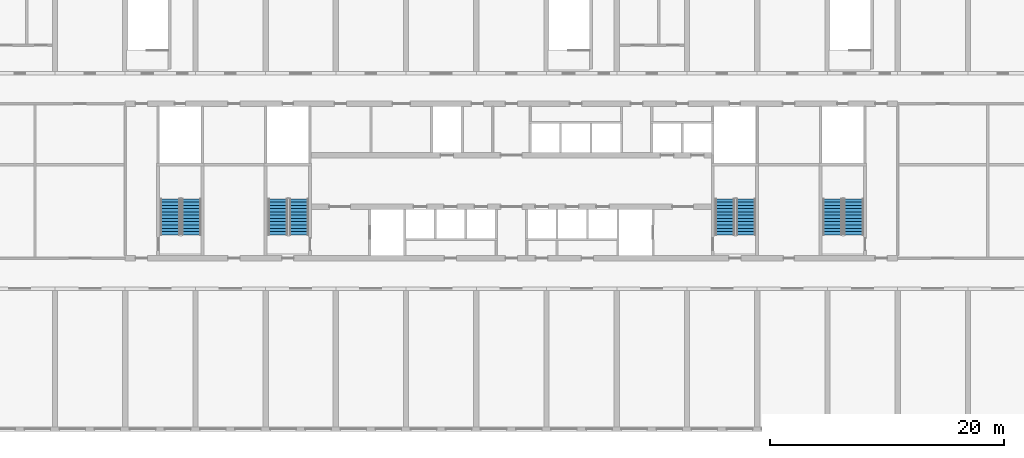
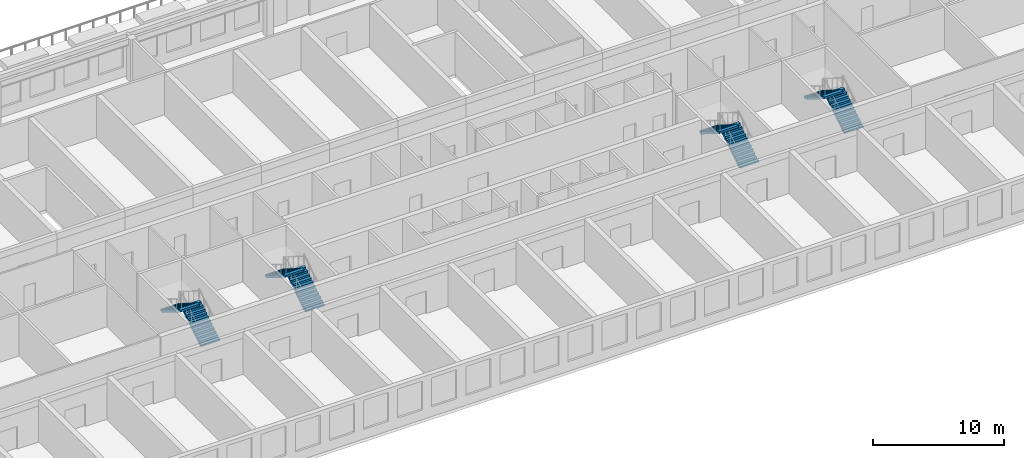
# One storey, part 12 of 15: 8 stair flights, 4 elements without a shape of their own.
"""IFC4 building model written with IfcOpenShell, lengths in metres."""

from ifc_helpers import new_model, si_unit, direction, frame, origin, place, context, subcontext, project, spatial, polyline, outline, extrude, material, layer, layer_set, type_object, element, aggregate, save


model = new_model("IFC4")

# Units and contexts
model_context = context("Model", 3, precision=1e-05, world=origin(), true_north=direction((0.0, 1.0)))
body_context = subcontext(model_context, "Body", "Model", "MODEL_VIEW")
ifc_project = project(units=[si_unit("LENGTHUNIT", "METRE"), si_unit("AREAUNIT", "SQUARE_METRE"), si_unit("VOLUMEUNIT", "CUBIC_METRE"), si_unit("PLANEANGLEUNIT", "RADIAN"), si_unit("MASSUNIT", "GRAM", prefix="KILO")], contexts=[model_context])

# Site, building, storey
site_placement = place(None, origin())
site = spatial("IfcSite", under=ifc_project, at=site_placement, CompositionType="ELEMENT")
building_placement = place(site_placement, origin())
building = spatial("IfcBuilding", under=site, at=building_placement, Name="Poui Terraces", CompositionType="ELEMENT")
storey_placement = place(building_placement, frame((0.0, 0.0, 19.199951171875)))
storey = spatial("IfcBuildingStorey", under=building, at=storey_placement, Name="L04", CompositionType="ELEMENT", Elevation=19.199951171875)

# Stair, stair flights
ifc_material = material(Name="Concrete 80 MPa", Category="concrete")
stair_type = type_object("IfcStairType", Name="EXIT STAIR 1650 80 MPA", PredefinedType="HALF_TURN_STAIR", material=ifc_material)
stair_1_placement = place(storey_placement, origin())
stair_1 = element("IfcStair", 1, at=stair_1_placement, inside=storey, type_object=stair_type, Name="L04 CORE STAIR EAST", PredefinedType="HALF_TURN_STAIR")
ifc_layer = layer(ifc_material, 0.14990234375)
ifc_layer_set = layer_set([ifc_layer], Name="Concrete 80 MPa")
stair_flight_type = type_object("IfcStairFlightType", Name="STAIR FLIGHT 12 RISERS 175 RISE 80 MPA", PredefinedType="STRAIGHT", material=ifc_layer_set)
stair_flight_1_placement = place(storey_placement, frame((71.050048828125, 16.60009765625, 0.0), z_axis=(0.0, 0.0, 1.0), x_axis=(0.0, 1.0, 0.0)))
stair_flight_1 = element("IfcStairFlight", 2, at=stair_flight_1_placement, type_object=stair_flight_type, Name="ST-CE flight 1", NumberOfRisers=12, NumberOfTreads=11, PredefinedType="STRAIGHT", RiserHeight=0.175, TreadLength=0.28, context=body_context, shape_type="SweptSolid", body=[
    extrude(outline(polyline([(0.0, 0.0), (0.0, 0.175048828125), (0.280029296875, 0.175048828125), (0.280029296875, 0.35009765625), (0.56005859375, 0.35009765625), (0.56005859375, 0.52490234375), (0.840087890625, 0.52490234375), (0.840087890625, 0.699951171875), (1.1201171875, 0.699951171875), (1.1201171875, 0.875), (1.39990234375, 0.875), (1.39990234375, 1.050048828125), (1.679931640625, 1.050048828125), (1.679931640625, 1.22509765625), (1.9599609375, 1.22509765625), (1.9599609375, 1.39990234375), (2.239990234375, 1.39990234375), (2.239990234375, 1.574951171875), (2.52001953125, 1.574951171875), (2.52001953125, 1.75), (2.800048828125, 1.75), (2.800048828125, 1.925048828125), (3.080078125, 1.925048828125), (3.080078125, 2.10009765625), (3.080078125, 1.748291015625), (0.28271484375, 0.0), (0.0, 0.0)])), frame((0.0, 0.824951171875, 0.0), z_axis=(0.0, -1.0, 0.0), x_axis=(1.0, 0.0, 0.0)), (0.0, 0.0, 1.0), 1.64990234375),
])
stair_flight_2_placement = place(storey_placement, frame((69.25, 19.679931640625, 2.10009765625), z_axis=(0.0, 0.0, 1.0), x_axis=(0.0, -1.0, 0.0)))
stair_flight_2 = element("IfcStairFlight", 3, at=stair_flight_2_placement, type_object=stair_flight_type, Name="ST-CE flight 2", NumberOfRisers=12, NumberOfTreads=11, PredefinedType="STRAIGHT", RiserHeight=0.175, TreadLength=0.28, context=body_context, shape_type="SweptSolid", body=[
    extrude(outline(polyline([(0.0, 0.0), (0.0, 0.175048828125), (0.280029296875, 0.175048828125), (0.280029296875, 0.35009765625), (0.56005859375, 0.35009765625), (0.56005859375, 0.52490234375), (0.840087890625, 0.52490234375), (0.840087890625, 0.699951171875), (1.1201171875, 0.699951171875), (1.1201171875, 0.875), (1.39990234375, 0.875), (1.39990234375, 1.050048828125), (1.679931640625, 1.050048828125), (1.679931640625, 1.22509765625), (1.9599609375, 1.22509765625), (1.9599609375, 1.39990234375), (2.239990234375, 1.39990234375), (2.239990234375, 1.574951171875), (2.52001953125, 1.574951171875), (2.52001953125, 1.75), (2.800048828125, 1.75), (2.800048828125, 1.925048828125), (3.080078125, 1.925048828125), (3.080078125, 2.10009765625), (3.080078125, 1.748291015625), (0.28271484375, 0.0), (0.0, 0.0)])), frame((0.0, 0.824951171875, 0.0), z_axis=(0.0, -1.0, 0.0), x_axis=(1.0, 0.0, 0.0)), (0.0, 0.0, 1.0), 1.64990234375),
])
aggregate(stair_1, [stair_flight_1, stair_flight_2])

stair_2_placement = place(storey_placement, origin())
stair_2 = element("IfcStair", 4, at=stair_2_placement, inside=storey, type_object=stair_type, Name="L04 CORE STAIR WEST", PredefinedType="HALF_TURN_STAIR")
stair_flight_3_placement = place(storey_placement, frame((32.85009765625, 16.60009765625, 0.0), z_axis=(0.0, 0.0, 1.0), x_axis=(0.0, 1.0, 0.0)))
stair_flight_3 = element("IfcStairFlight", 5, at=stair_flight_3_placement, type_object=stair_flight_type, Name="ST-CW flight 1", NumberOfRisers=12, NumberOfTreads=11, PredefinedType="STRAIGHT", RiserHeight=0.175, TreadLength=0.28, context=body_context, shape_type="SweptSolid", body=[
    extrude(outline(polyline([(0.0, 0.0), (0.0, 0.175048828125), (0.280029296875, 0.175048828125), (0.280029296875, 0.35009765625), (0.56005859375, 0.35009765625), (0.56005859375, 0.52490234375), (0.840087890625, 0.52490234375), (0.840087890625, 0.699951171875), (1.1201171875, 0.699951171875), (1.1201171875, 0.875), (1.39990234375, 0.875), (1.39990234375, 1.050048828125), (1.679931640625, 1.050048828125), (1.679931640625, 1.22509765625), (1.9599609375, 1.22509765625), (1.9599609375, 1.39990234375), (2.239990234375, 1.39990234375), (2.239990234375, 1.574951171875), (2.52001953125, 1.574951171875), (2.52001953125, 1.75), (2.800048828125, 1.75), (2.800048828125, 1.925048828125), (3.080078125, 1.925048828125), (3.080078125, 2.10009765625), (3.080078125, 1.748291015625), (0.28271484375, 0.0), (0.0, 0.0)])), frame((0.0, 0.824951171875, 0.0), z_axis=(0.0, -1.0, 0.0), x_axis=(1.0, 0.0, 0.0)), (0.0, 0.0, 1.0), 1.64990234375),
])
stair_flight_4_placement = place(storey_placement, frame((31.050048828125, 19.679931640625, 2.10009765625), z_axis=(0.0, 0.0, 1.0), x_axis=(0.0, -1.0, 0.0)))
stair_flight_4 = element("IfcStairFlight", 6, at=stair_flight_4_placement, type_object=stair_flight_type, Name="ST-CW flight 2", NumberOfRisers=12, NumberOfTreads=11, PredefinedType="STRAIGHT", RiserHeight=0.175, TreadLength=0.28, context=body_context, shape_type="SweptSolid", body=[
    extrude(outline(polyline([(0.0, 0.0), (0.0, 0.175048828125), (0.280029296875, 0.175048828125), (0.280029296875, 0.35009765625), (0.56005859375, 0.35009765625), (0.56005859375, 0.52490234375), (0.840087890625, 0.52490234375), (0.840087890625, 0.699951171875), (1.1201171875, 0.699951171875), (1.1201171875, 0.875), (1.39990234375, 0.875), (1.39990234375, 1.050048828125), (1.679931640625, 1.050048828125), (1.679931640625, 1.22509765625), (1.9599609375, 1.22509765625), (1.9599609375, 1.39990234375), (2.239990234375, 1.39990234375), (2.239990234375, 1.574951171875), (2.52001953125, 1.574951171875), (2.52001953125, 1.75), (2.800048828125, 1.75), (2.800048828125, 1.925048828125), (3.080078125, 1.925048828125), (3.080078125, 2.10009765625), (3.080078125, 1.748291015625), (0.28271484375, 0.0), (0.0, 0.0)])), frame((0.0, 0.824951171875, 0.0), z_axis=(0.0, -1.0, 0.0), x_axis=(1.0, 0.0, 0.0)), (0.0, 0.0, 1.0), 1.64990234375),
])
aggregate(stair_2, [stair_flight_3, stair_flight_4])

stair_3_placement = place(storey_placement, origin())
stair_3 = element("IfcStair", 7, at=stair_3_placement, inside=storey, type_object=stair_type, Name="L04 TIP STAIR EAST", PredefinedType="HALF_TURN_STAIR")
stair_flight_5_placement = place(storey_placement, frame((80.25, 16.60009765625, 0.0), z_axis=(0.0, 0.0, 1.0), x_axis=(0.0, 1.0, 0.0)))
stair_flight_5 = element("IfcStairFlight", 8, at=stair_flight_5_placement, type_object=stair_flight_type, Name="ST-E flight 1", NumberOfRisers=12, NumberOfTreads=11, PredefinedType="STRAIGHT", RiserHeight=0.175, TreadLength=0.28, context=body_context, shape_type="SweptSolid", body=[
    extrude(outline(polyline([(0.0, 0.0), (0.0, 0.175048828125), (0.280029296875, 0.175048828125), (0.280029296875, 0.35009765625), (0.56005859375, 0.35009765625), (0.56005859375, 0.52490234375), (0.840087890625, 0.52490234375), (0.840087890625, 0.699951171875), (1.1201171875, 0.699951171875), (1.1201171875, 0.875), (1.39990234375, 0.875), (1.39990234375, 1.050048828125), (1.679931640625, 1.050048828125), (1.679931640625, 1.22509765625), (1.9599609375, 1.22509765625), (1.9599609375, 1.39990234375), (2.239990234375, 1.39990234375), (2.239990234375, 1.574951171875), (2.52001953125, 1.574951171875), (2.52001953125, 1.75), (2.800048828125, 1.75), (2.800048828125, 1.925048828125), (3.080078125, 1.925048828125), (3.080078125, 2.10009765625), (3.080078125, 1.748291015625), (0.28271484375, 0.0), (0.0, 0.0)])), frame((0.0, 0.824951171875, 0.0), z_axis=(0.0, -1.0, 0.0), x_axis=(1.0, 0.0, 0.0)), (0.0, 0.0, 1.0), 1.64990234375),
])
stair_flight_6_placement = place(storey_placement, frame((78.449951171875, 19.679931640625, 2.10009765625), z_axis=(0.0, 0.0, 1.0), x_axis=(0.0, -1.0, 0.0)))
stair_flight_6 = element("IfcStairFlight", 9, at=stair_flight_6_placement, type_object=stair_flight_type, Name="ST-E flight 2", NumberOfRisers=12, NumberOfTreads=11, PredefinedType="STRAIGHT", RiserHeight=0.175, TreadLength=0.28, context=body_context, shape_type="SweptSolid", body=[
    extrude(outline(polyline([(0.0, 0.0), (0.0, 0.175048828125), (0.280029296875, 0.175048828125), (0.280029296875, 0.35009765625), (0.56005859375, 0.35009765625), (0.56005859375, 0.52490234375), (0.840087890625, 0.52490234375), (0.840087890625, 0.699951171875), (1.1201171875, 0.699951171875), (1.1201171875, 0.875), (1.39990234375, 0.875), (1.39990234375, 1.050048828125), (1.679931640625, 1.050048828125), (1.679931640625, 1.22509765625), (1.9599609375, 1.22509765625), (1.9599609375, 1.39990234375), (2.239990234375, 1.39990234375), (2.239990234375, 1.574951171875), (2.52001953125, 1.574951171875), (2.52001953125, 1.75), (2.800048828125, 1.75), (2.800048828125, 1.925048828125), (3.080078125, 1.925048828125), (3.080078125, 2.10009765625), (3.080078125, 1.748291015625), (0.28271484375, 0.0), (0.0, 0.0)])), frame((0.0, 0.824951171875, 0.0), z_axis=(0.0, -1.0, 0.0), x_axis=(1.0, 0.0, 0.0)), (0.0, 0.0, 1.0), 1.64990234375),
])
aggregate(stair_3, [stair_flight_5, stair_flight_6])

stair_4_placement = place(storey_placement, origin())
stair_4 = element("IfcStair", 10, at=stair_4_placement, inside=storey, type_object=stair_type, Name="L04 TIP STAIR WEST", PredefinedType="HALF_TURN_STAIR")
stair_flight_7_placement = place(storey_placement, frame((23.64990234375, 16.60009765625, 0.0), z_axis=(0.0, 0.0, 1.0), x_axis=(0.0, 1.0, 0.0)))
stair_flight_7 = element("IfcStairFlight", 11, at=stair_flight_7_placement, type_object=stair_flight_type, Name="ST-W flight 1", NumberOfRisers=12, NumberOfTreads=11, PredefinedType="STRAIGHT", RiserHeight=0.175, TreadLength=0.28, context=body_context, shape_type="SweptSolid", body=[
    extrude(outline(polyline([(0.0, 0.0), (0.0, 0.175048828125), (0.280029296875, 0.175048828125), (0.280029296875, 0.35009765625), (0.56005859375, 0.35009765625), (0.56005859375, 0.52490234375), (0.840087890625, 0.52490234375), (0.840087890625, 0.699951171875), (1.1201171875, 0.699951171875), (1.1201171875, 0.875), (1.39990234375, 0.875), (1.39990234375, 1.050048828125), (1.679931640625, 1.050048828125), (1.679931640625, 1.22509765625), (1.9599609375, 1.22509765625), (1.9599609375, 1.39990234375), (2.239990234375, 1.39990234375), (2.239990234375, 1.574951171875), (2.52001953125, 1.574951171875), (2.52001953125, 1.75), (2.800048828125, 1.75), (2.800048828125, 1.925048828125), (3.080078125, 1.925048828125), (3.080078125, 2.10009765625), (3.080078125, 1.748291015625), (0.28271484375, 0.0), (0.0, 0.0)])), frame((0.0, 0.824951171875, 0.0), z_axis=(0.0, -1.0, 0.0), x_axis=(1.0, 0.0, 0.0)), (0.0, 0.0, 1.0), 1.64990234375),
])
stair_flight_8_placement = place(storey_placement, frame((21.85009765625, 19.679931640625, 2.10009765625), z_axis=(0.0, 0.0, 1.0), x_axis=(0.0, -1.0, 0.0)))
stair_flight_8 = element("IfcStairFlight", 12, at=stair_flight_8_placement, type_object=stair_flight_type, Name="ST-W flight 2", NumberOfRisers=12, NumberOfTreads=11, PredefinedType="STRAIGHT", RiserHeight=0.175, TreadLength=0.28, context=body_context, shape_type="SweptSolid", body=[
    extrude(outline(polyline([(0.0, 0.0), (0.0, 0.175048828125), (0.280029296875, 0.175048828125), (0.280029296875, 0.35009765625), (0.56005859375, 0.35009765625), (0.56005859375, 0.52490234375), (0.840087890625, 0.52490234375), (0.840087890625, 0.699951171875), (1.1201171875, 0.699951171875), (1.1201171875, 0.875), (1.39990234375, 0.875), (1.39990234375, 1.050048828125), (1.679931640625, 1.050048828125), (1.679931640625, 1.22509765625), (1.9599609375, 1.22509765625), (1.9599609375, 1.39990234375), (2.239990234375, 1.39990234375), (2.239990234375, 1.574951171875), (2.52001953125, 1.574951171875), (2.52001953125, 1.75), (2.800048828125, 1.75), (2.800048828125, 1.925048828125), (3.080078125, 1.925048828125), (3.080078125, 2.10009765625), (3.080078125, 1.748291015625), (0.28271484375, 0.0), (0.0, 0.0)])), frame((0.0, 0.824951171875, 0.0), z_axis=(0.0, -1.0, 0.0), x_axis=(1.0, 0.0, 0.0)), (0.0, 0.0, 1.0), 1.64990234375),
])
aggregate(stair_4, [stair_flight_7, stair_flight_8])

save(model, "model.ifc")
